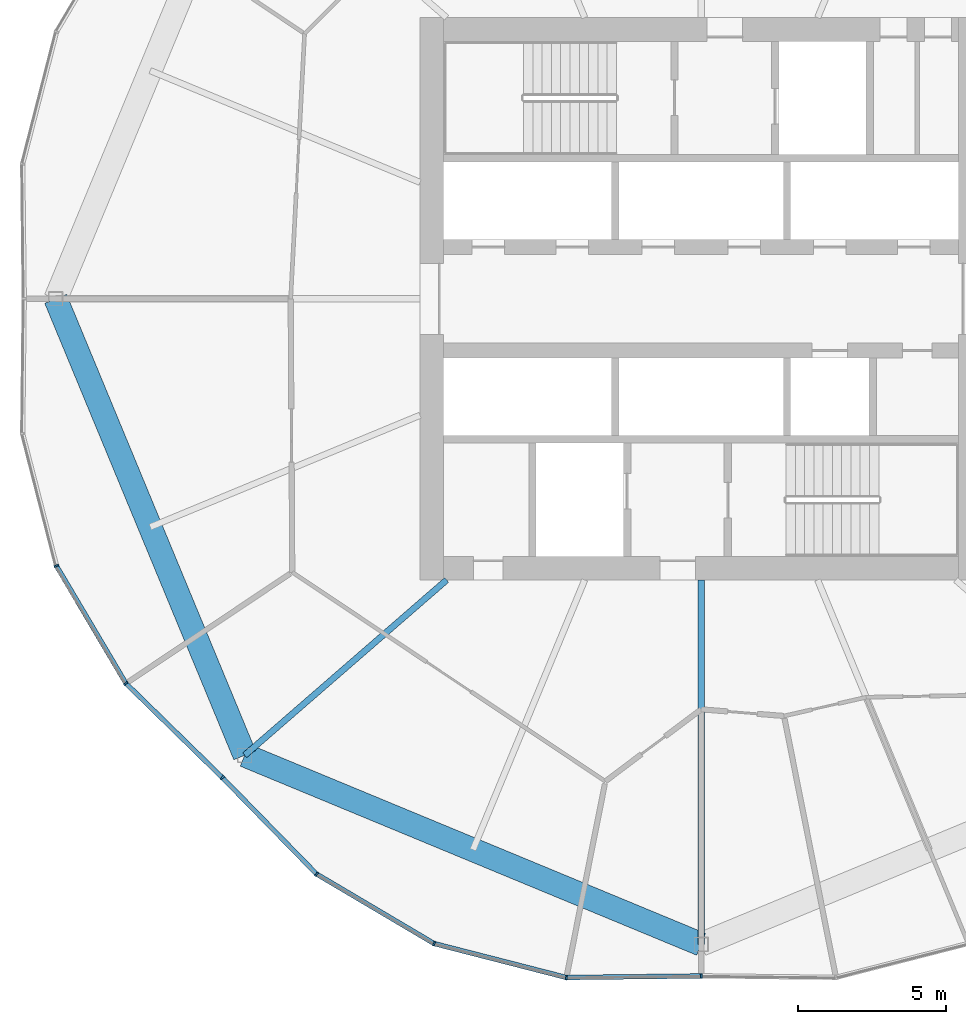
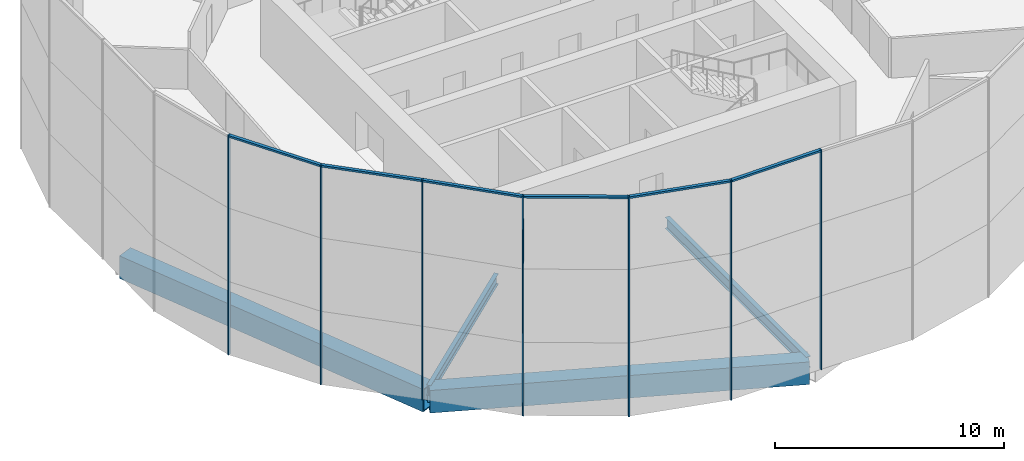
# One storey, part 3 of 25: 13 members, 4 beams, 2 elements without a shape of their own.
"""IFC4 building model written with IfcOpenShell, lengths in metres."""

from ifc_helpers import new_model, si_unit, direction, frame, origin, origin_2d, place, context, subcontext, project, spatial, rectangle, hollow_rectangle, i_section, extrude, material, material_profile, profile_set, type_object, element, aggregate, save


model = new_model("IFC4")

# Units and contexts
model_context = context("Model", 3, precision=1e-05, world=origin(), true_north=direction((0.0, 1.0)))
body_context = subcontext(model_context, "Body", "Model", "MODEL_VIEW")
ifc_project = project(units=[si_unit("LENGTHUNIT", "METRE"), si_unit("AREAUNIT", "SQUARE_METRE"), si_unit("VOLUMEUNIT", "CUBIC_METRE"), si_unit("PLANEANGLEUNIT", "RADIAN"), si_unit("MASSUNIT", "GRAM", prefix="KILO")], contexts=[model_context])

# Site, building, storey
site_placement = place(None, origin())
site = spatial("IfcSite", under=ifc_project, at=site_placement, CompositionType="ELEMENT")
building_placement = place(site_placement, origin())
building = spatial("IfcBuilding", under=site, at=building_placement, Name="Ogive Gate Towers", CompositionType="ELEMENT")
storey_placement = place(building_placement, frame((0.0, 0.0, 44.10009765625)))
storey = spatial("IfcBuildingStorey", under=building, at=storey_placement, Name="L09", CompositionType="ELEMENT", Elevation=44.10009765625)

# Beams
ifc_material_1 = material(Name="Steel SM460", Category="steel")
ifc_material_profile_1 = material_profile(ifc_material_1, hollow_rectangle(XDim=0.800048828125, YDim=1.199951171875, WallThickness=0.050048828125, at=origin_2d()), Name="BX 1200x800x50")
ifc_profile_set_1 = profile_set([ifc_material_profile_1], Name="Steel SM460")
beam_type_1 = type_object("IfcBeamType", Name="Edge girder BX 1200x800x50", PredefinedType="BEAM", material=ifc_profile_set_1)
for number, where, z_axis, x_axis, name in (
    (1, (-51.422119140625, -15.422119140625, -0.900146484375), (0.923881893128, -0.382677733282, 0.0), (0.382677733282, 0.923881893128, 0.0), "T1/L09/SBM017"),
    (2, (-57.81005859375, 0.0, -0.900146484375), (0.382677733282, -0.923881893128, 0.0), (0.923881893128, 0.382677733282, 0.0), "T1/L09/SBM024"),
):
    element("IfcBeam", number, at=place(storey_placement, frame(where, z_axis=z_axis, x_axis=x_axis)), inside=storey, type_object=beam_type_1, Name=name, PredefinedType="BEAM", context=body_context, shape_type="SweptSolid", body=[
        extrude(hollow_rectangle(XDim=0.800048828125, YDim=1.199951171875, WallThickness=0.050048828125, at=origin_2d()), origin(), (0.0, 0.0, 1.0), 16.692626953125),
    ])
ifc_material_2 = material(Name="Steel SM355", Category="steel")
ifc_material_profile_2 = material_profile(ifc_material_2, i_section(OverallWidth=0.2099609375, OverallDepth=0.550048828125, WebThickness=0.010986328125, FlangeThickness=0.01708984375, FilletRadius=0.02392578125, at=origin_2d()), Name="IPE 550")
ifc_profile_set_2 = profile_set([ifc_material_profile_2], Name="Steel SM355")
beam_type_2 = type_object("IfcBeamType", Name="Radial floor beam IPE 550", PredefinedType="BEAM", material=ifc_profile_set_2)
beam_1_placement = place(storey_placement, frame((-44.60009765625, -9.5, -0.5751953125), z_axis=(-0.755157389596, -0.655543527875, 0.0), x_axis=(0.655543527875, -0.755157389596, 0.0)))
element("IfcBeam", 3, at=beam_1_placement, inside=storey, type_object=beam_type_2, Name="T1/L09/SBM001", PredefinedType="BEAM", context=body_context, shape_type="SweptSolid", body=[
    extrude(i_section(OverallWidth=0.2099609375, OverallDepth=0.550048828125, WebThickness=0.010986328125, FlangeThickness=0.01708984375, FilletRadius=0.02392578125, at=origin_2d()), origin(), (0.0, 0.0, 1.0), 9.033935546875),
])
ifc_material_profile_3 = material_profile(ifc_material_2, i_section(OverallWidth=0.219970703125, OverallDepth=0.60009765625, WebThickness=0.011962890625, FlangeThickness=0.01904296875, FilletRadius=0.02392578125, at=origin_2d()), Name="IPE 600")
ifc_profile_set_3 = profile_set([ifc_material_profile_3], Name="Steel SM355")
beam_type_3 = type_object("IfcBeamType", Name="Radial floor beam IPE 600", PredefinedType="BEAM", material=ifc_profile_set_3)
beam_2_placement = place(storey_placement, frame((-36.0, -9.5, -0.60009765625), z_axis=(0.0, -1.0, 0.0), x_axis=(1.0, 0.0, 0.0)))
element("IfcBeam", 4, at=beam_2_placement, inside=storey, type_object=beam_type_3, Name="T1/L09/SBM003", PredefinedType="BEAM", context=body_context, shape_type="SweptSolid", body=[
    extrude(i_section(OverallWidth=0.219970703125, OverallDepth=0.60009765625, WebThickness=0.011962890625, FlangeThickness=0.01904296875, FilletRadius=0.02392578125, at=origin_2d()), origin(), (0.0, 0.0, 1.0), 12.31005859375),
])

# Curtain wall, members
ifc_material_3 = material(Name="Pale metal aluminium", Category="aluminium")
curtain_wall_type = type_object("IfcCurtainWallType", Name="Tower unitised wall, low zone", PredefinedType="NOTDEFINED", material=ifc_material_3)
curtain_wall_1_placement = place(storey_placement, origin())
curtain_wall_1 = element("IfcCurtainWall", 5, at=curtain_wall_1_placement, inside=storey, type_object=curtain_wall_type, Name="CW1 T1 ECW05", PredefinedType="NOTDEFINED")
ifc_material_profile_4 = material_profile(ifc_material_3, rectangle(XDim=0.159912109375, YDim=0.06005859375, at=origin_2d()), Name="60 x 160 aluminium box")
ifc_profile_set_4 = profile_set([ifc_material_profile_4], Name="Pale metal aluminium")
member_type_1 = type_object("IfcMemberType", Name="Tower unitised wall, low zone mullion 60 x 160", PredefinedType="MULLION", material=ifc_profile_set_4)
member_1_placement = place(storey_placement, frame((-57.785888671875, -9.02392578125, -0.300048828125), z_axis=(0.0, 0.0, 1.0), x_axis=(-0.923879532511, -0.382683432365, 0.0)))
member_1 = element("IfcMember", 6, at=member_1_placement, type_object=member_type_1, Name="CW1 mullion", PredefinedType="MULLION", context=body_context, shape_type="SweptSolid", body=[
    extrude(rectangle(XDim=0.159912109375, YDim=0.06005859375, at=origin_2d()), origin(), (0.0, 0.0, 1.0), 11.699951171875),
])
member_2_placement = place(storey_placement, frame((-55.43701171875, -12.99462890625, -0.300048828125), z_axis=(0.0, 0.0, 1.0), x_axis=(-0.786557949393, -0.617516471235, 0.0)))
member_2 = element("IfcMember", 7, at=member_2_placement, type_object=member_type_1, Name="CW1 mullion", PredefinedType="MULLION", context=body_context, shape_type="SweptSolid", body=[
    extrude(rectangle(XDim=0.159912109375, YDim=0.06005859375, at=origin_2d()), origin(), (0.0, 0.0, 1.0), 11.699951171875),
])
member_3_placement = place(storey_placement, frame((-52.1787109375, -16.178466796875, -0.300048828125), z_axis=(0.0, 0.0, 1.0), x_axis=(-0.698914762976, -0.715204973482, 0.0)))
member_3 = element("IfcMember", 8, at=member_3_placement, type_object=member_type_1, Name="CW1 mullion", PredefinedType="MULLION", context=body_context, shape_type="SweptSolid", body=[
    extrude(rectangle(XDim=0.159912109375, YDim=0.06005859375, at=origin_2d()), origin(), (0.0, 0.0, 1.0), 11.699951171875),
])

curtain_wall_2_placement = place(storey_placement, origin())
curtain_wall_2 = element("IfcCurtainWall", 9, at=curtain_wall_2_placement, inside=storey, type_object=curtain_wall_type, Name="CW1 T1 ECW06", PredefinedType="NOTDEFINED")
member_4_placement = place(storey_placement, frame((-48.99462890625, -19.43701171875, -0.300048828125), z_axis=(0.0, 0.0, 1.0), x_axis=(-0.617516471235, -0.786557949393, 0.0)))
member_4 = element("IfcMember", 10, at=member_4_placement, type_object=member_type_1, Name="CW1 mullion", PredefinedType="MULLION", context=body_context, shape_type="SweptSolid", body=[
    extrude(rectangle(XDim=0.159912109375, YDim=0.06005859375, at=origin_2d()), origin(), (0.0, 0.0, 1.0), 11.699951171875),
])
member_5_placement = place(storey_placement, frame((-45.02392578125, -21.785888671875, -0.300048828125), z_axis=(0.0, 0.0, 1.0), x_axis=(-0.382683432365, -0.923879532511, 0.0)))
member_5 = element("IfcMember", 11, at=member_5_placement, type_object=member_type_1, Name="CW1 mullion", PredefinedType="MULLION", context=body_context, shape_type="SweptSolid", body=[
    extrude(rectangle(XDim=0.159912109375, YDim=0.06005859375, at=origin_2d()), origin(), (0.0, 0.0, 1.0), 11.699951171875),
])
member_6_placement = place(storey_placement, frame((-40.555419921875, -22.9326171875, -0.300048828125), z_axis=(0.0, 0.0, 1.0), x_axis=(-0.119547703651, -0.992828457767, 0.0)))
member_6 = element("IfcMember", 12, at=member_6_placement, type_object=member_type_1, Name="CW1 mullion", PredefinedType="MULLION", context=body_context, shape_type="SweptSolid", body=[
    extrude(rectangle(XDim=0.159912109375, YDim=0.06005859375, at=origin_2d()), origin(), (0.0, 0.0, 1.0), 11.699951171875),
])
member_7_placement = place(storey_placement, frame((-36.000244140625, -22.8798828125, -0.300048828125), z_axis=(0.0, 0.0, 1.0), x_axis=(0.011501466179, -0.99993385595, 0.0)))
member_7 = element("IfcMember", 13, at=member_7_placement, type_object=member_type_1, Name="CW1 mullion", PredefinedType="MULLION", context=body_context, shape_type="SweptSolid", body=[
    extrude(rectangle(XDim=0.159912109375, YDim=0.06005859375, at=origin_2d()), origin(), (0.0, 0.0, 1.0), 11.699951171875),
])

# Member
ifc_material_profile_5 = material_profile(ifc_material_3, rectangle(XDim=0.159912109375, YDim=0.10009765625, at=origin_2d()), Name="100 x 160 aluminium box")
ifc_profile_set_5 = profile_set([ifc_material_profile_5], Name="Pale metal aluminium")
member_type_2 = type_object("IfcMemberType", Name="Tower unitised wall, low zone transom 100 x 160", PredefinedType="USERDEFINED", material=ifc_profile_set_5)
member_8_placement = place(storey_placement, frame((-57.77197265625, -9.04736328125, 11.349853515625), z_axis=(0.509162247651, -0.860670555769, 0.0), x_axis=(0.860670555769, 0.509162247651, 0.0)))
member_8 = element("IfcMember", 14, at=member_8_placement, type_object=member_type_2, Name="CW1 transom", ObjectType="TRANSOM", PredefinedType="USERDEFINED", context=body_context, shape_type="SweptSolid", body=[
    extrude(rectangle(XDim=0.159912109375, YDim=0.10009765625, at=origin_2d()), origin(), (0.0, 0.0, 1.0), 4.55908203125),
])

member_9_placement = place(storey_placement, frame((-55.417236328125, -13.013916015625, 11.349853515625), z_axis=(0.715228515951, -0.698890670971, 0.0), x_axis=(0.698890670971, 0.715228515951, 0.0)))
member_9 = element("IfcMember", 15, at=member_9_placement, type_object=member_type_2, Name="CW1 transom", ObjectType="TRANSOM", PredefinedType="USERDEFINED", context=body_context, shape_type="SweptSolid", body=[
    extrude(rectangle(XDim=0.159912109375, YDim=0.10009765625, at=origin_2d()), origin(), (0.0, 0.0, 1.0), 4.497802734375),
])

aggregate(curtain_wall_1, [member_1, member_2, member_8, member_3, member_9])

member_10_placement = place(storey_placement, frame((-52.157470703125, -16.2001953125, 11.349853515625), z_axis=(0.698890670971, -0.715228515951, 0.0), x_axis=(0.715228515951, 0.698890670971, 0.0)))
member_10 = element("IfcMember", 16, at=member_10_placement, type_object=member_type_2, Name="CW1 transom", ObjectType="TRANSOM", PredefinedType="USERDEFINED", context=body_context, shape_type="SweptSolid", body=[
    extrude(rectangle(XDim=0.159912109375, YDim=0.10009765625, at=origin_2d()), origin(), (0.0, 0.0, 1.0), 4.497802734375),
])

member_11_placement = place(storey_placement, frame((-48.97119140625, -19.45068359375, 11.349853515625), z_axis=(0.860670555769, -0.509162247651, 0.0), x_axis=(0.509162247651, 0.860670555769, 0.0)))
member_11 = element("IfcMember", 17, at=member_11_placement, type_object=member_type_2, Name="CW1 transom", ObjectType="TRANSOM", PredefinedType="USERDEFINED", context=body_context, shape_type="SweptSolid", body=[
    extrude(rectangle(XDim=0.159912109375, YDim=0.10009765625, at=origin_2d()), origin(), (0.0, 0.0, 1.0), 4.55908203125),
])

member_12_placement = place(storey_placement, frame((-44.997802734375, -21.79248046875, 11.349853515625), z_axis=(0.968624541573, -0.248528665272, 0.0), x_axis=(0.248528665272, 0.968624541573, 0.0)))
member_12 = element("IfcMember", 18, at=member_12_placement, type_object=member_type_2, Name="CW1 transom", ObjectType="TRANSOM", PredefinedType="USERDEFINED", context=body_context, shape_type="SweptSolid", body=[
    extrude(rectangle(XDim=0.159912109375, YDim=0.10009765625, at=origin_2d()), origin(), (0.0, 0.0, 1.0), 4.55908203125),
])

member_13_placement = place(storey_placement, frame((-40.52783203125, -22.93212890625, 11.349853515625), z_axis=(0.999933789779, 0.011507217644, 0.0), x_axis=(-0.011507217644, 0.999933789779, 0.0)))
member_13 = element("IfcMember", 19, at=member_13_placement, type_object=member_type_2, Name="CW1 transom", ObjectType="TRANSOM", PredefinedType="USERDEFINED", context=body_context, shape_type="SweptSolid", body=[
    extrude(rectangle(XDim=0.159912109375, YDim=0.10009765625, at=origin_2d()), origin(), (0.0, 0.0, 1.0), 4.497802734375),
])

aggregate(curtain_wall_2, [member_4, member_10, member_5, member_11, member_6, member_12, member_7, member_13])

save(model, "model.ifc")
